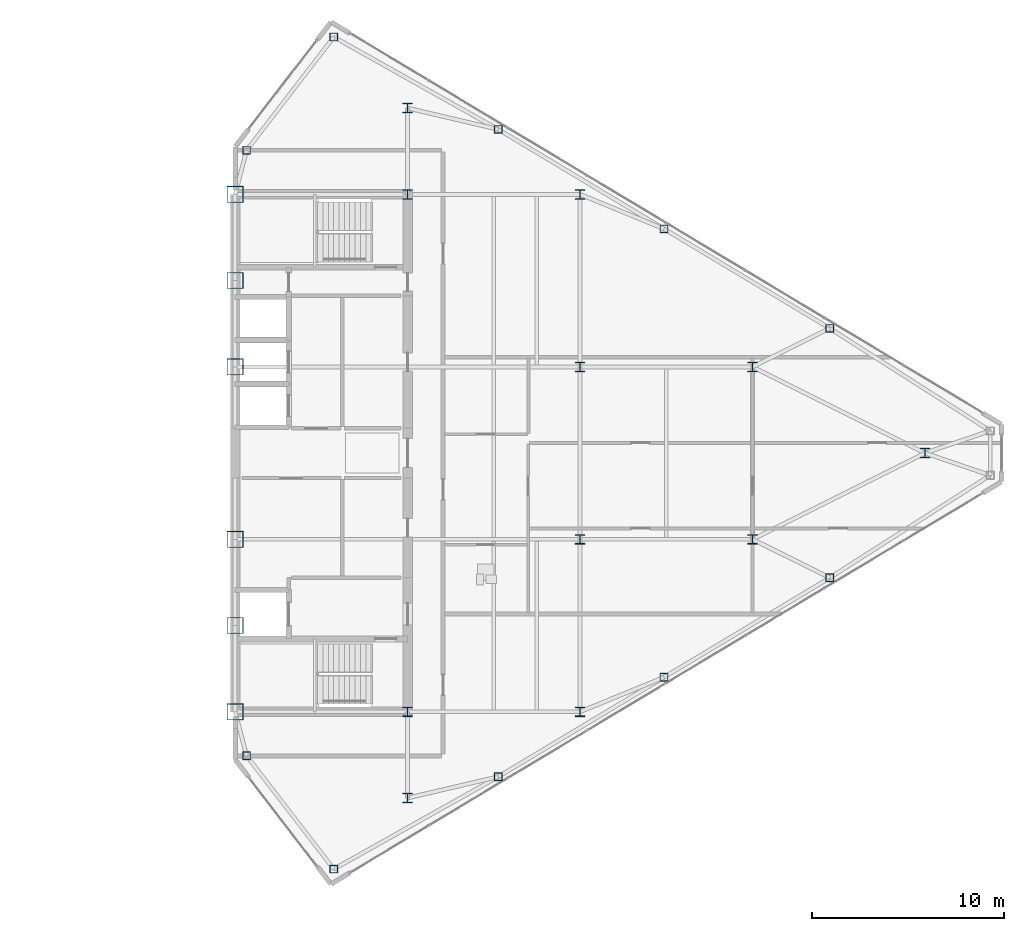
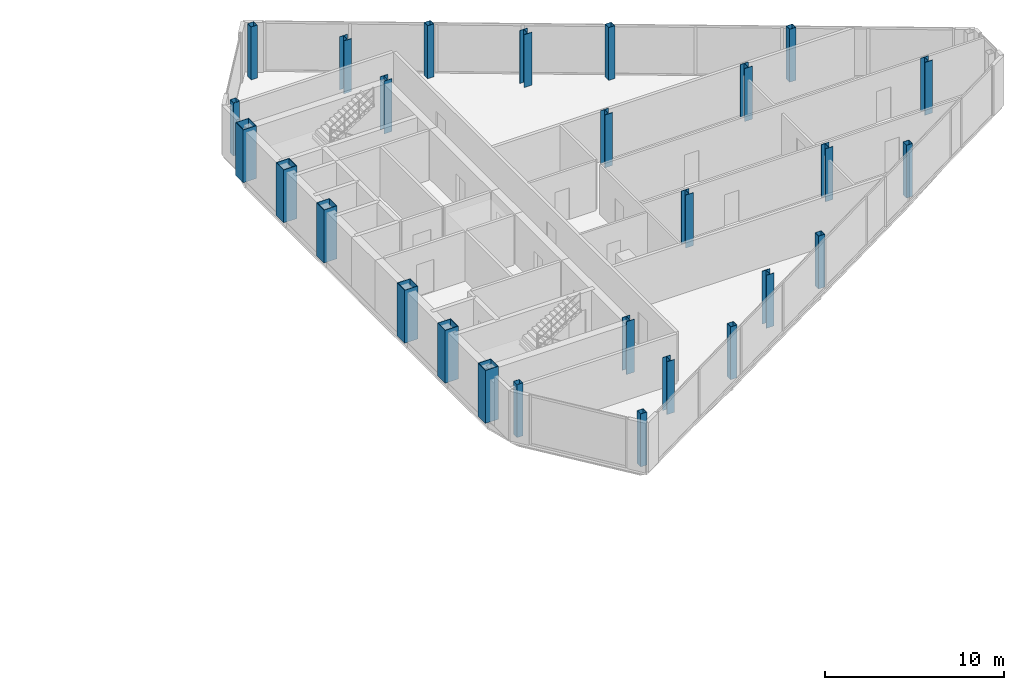
# One storey, part 3 of 25: 27 columns.
"""IFC4 building model written with IfcOpenShell, lengths in metres."""

from ifc_helpers import new_model, si_unit, direction, frame, origin, origin_2d, place, context, subcontext, project, spatial, hollow_rectangle, i_section, extrude, source, transform, mapped, material, material_profile, profile_set, type_object, type_shapes, element, save


model = new_model("IFC4")

# Units and contexts
model_context = context("Model", 3, precision=1e-05, world=origin(), true_north=direction((0.0, 1.0)))
body_context = subcontext(model_context, "Body", "Model", "MODEL_VIEW")
ifc_project = project(units=[si_unit("LENGTHUNIT", "METRE"), si_unit("AREAUNIT", "SQUARE_METRE"), si_unit("VOLUMEUNIT", "CUBIC_METRE"), si_unit("PLANEANGLEUNIT", "RADIAN"), si_unit("MASSUNIT", "GRAM", prefix="KILO")], contexts=[model_context])

# Site, building, storey
site_placement = place(None, origin())
site = spatial("IfcSite", under=ifc_project, at=site_placement, CompositionType="ELEMENT")
building_placement = place(site_placement, origin())
building = spatial("IfcBuilding", under=site, at=building_placement, Name="Seokmaru Belvedere", CompositionType="ELEMENT")
storey_placement = place(building_placement, frame((0.0, 0.0, 217.5)))
storey = spatial("IfcBuildingStorey", under=building, at=storey_placement, Name="L58", CompositionType="ELEMENT", Elevation=217.5)

# Columns
ifc_material_1 = material(Name="Steel HSA650 (650 MPa)", Category="steel")
ifc_material_profile_1 = material_profile(ifc_material_1, hollow_rectangle(XDim=0.85009765625, YDim=0.85009765625, WallThickness=0.035888671875, at=origin_2d()), Name="BOX-850x850x36")
ifc_profile_set_1 = profile_set([ifc_material_profile_1], Name="Steel HSA650 (650 MPa)")
column_type_1 = type_object("IfcColumnType", Name="Portal Spine Column BOX-850", PredefinedType="COLUMN", material=ifc_profile_set_1)
shared_shape_1 = source(origin(), body_context, "Body", "SweptSolid", [
    extrude(hollow_rectangle(XDim=0.85009765625, YDim=0.85009765625, WallThickness=0.035888671875, at=origin_2d()), origin(), (0.0, 0.0, 1.0), 3.60009765625),
])
type_shapes(column_type_1, [shared_shape_1])
for number, where, z_axis, x_axis, name in (
    (1, (27.5, -13.5, 0.0), (0.0, 0.0, 1.0), (1.0, 0.0, 0.0), "L58 Column ES1"),
    (2, (27.5, -9.0, 0.0), (0.0, 0.0, 1.0), (1.0, 0.0, 0.0), "L58 Column ES2"),
    (3, (27.5, -4.5, 0.0), (0.0, 0.0, 1.0), (1.0, 0.0, 0.0), "L58 Column ES3"),
    (4, (27.5, 4.5, 0.0), (0.0, 0.0, 1.0), (1.0, 0.0, 0.0), "L58 Column ES4"),
    (5, (27.5, 9.0, 0.0), (0.0, 0.0, 1.0), (1.0, 0.0, 0.0), "L58 Column ES5"),
    (6, (27.5, 13.5, 0.0), (0.0, 0.0, 1.0), (1.0, 0.0, 0.0), "L58 Column ES6"),
):
    element("IfcColumn", number, at=place(storey_placement, frame(where, z_axis=z_axis, x_axis=x_axis)), inside=storey, type_object=column_type_1, Name=name, PredefinedType="COLUMN", context=body_context, shape_type="MappedRepresentation", body=[
        mapped(shared_shape_1, transform((0.0, 0.0, 0.0), scale=1.0)),
    ])
ifc_material_2 = material(Name="Steel SM355 (355 MPa)", Category="steel")
ifc_material_profile_2 = material_profile(ifc_material_2, i_section(OverallWidth=0.5, OverallDepth=0.5, WebThickness=0.02001953125, FlangeThickness=0.031982421875, at=origin_2d()), Name="H-500x500x20x32")
ifc_profile_set_2 = profile_set([ifc_material_profile_2], Name="Steel SM355 (355 MPa)")
column_type_2 = type_object("IfcColumnType", Name="High-Rise Interior Column H-500", PredefinedType="COLUMN", material=ifc_profile_set_2)
shared_shape_2 = source(origin(), body_context, "Body", "SweptSolid", [
    extrude(i_section(OverallWidth=0.5, OverallDepth=0.5, WebThickness=0.02001953125, FlangeThickness=0.031982421875, at=origin_2d()), origin(), (0.0, 0.0, 1.0), 3.60009765625),
])
type_shapes(column_type_2, [shared_shape_2])
for number, where, z_axis, x_axis, name in (
    (7, (36.5, -18.0, 0.0), (0.0, 0.0, 1.0), (1.0, 0.0, 0.0), "L58 Column EC1"),
    (8, (36.5, -13.5, 0.0), (0.0, 0.0, 1.0), (1.0, 0.0, 0.0), "L58 Column EC2"),
    (9, (36.5, 13.5, 0.0), (0.0, 0.0, 1.0), (1.0, 0.0, 0.0), "L58 Column EC3"),
    (10, (36.5, 18.0, 0.0), (0.0, 0.0, 1.0), (1.0, 0.0, 0.0), "L58 Column EC4"),
    (11, (45.5, -13.5, 0.0), (0.0, 0.0, 1.0), (1.0, 0.0, 0.0), "L58 Column EG5_1"),
    (12, (45.5, -4.5, 0.0), (0.0, 0.0, 1.0), (1.0, 0.0, 0.0), "L58 Column EG5_2"),
    (13, (45.5, 4.5, 0.0), (0.0, 0.0, 1.0), (1.0, 0.0, 0.0), "L58 Column EG5_3"),
    (14, (45.5, 13.5, 0.0), (0.0, 0.0, 1.0), (1.0, 0.0, 0.0), "L58 Column EG5_4"),
    (15, (54.5, -4.5, 0.0), (0.0, 0.0, 1.0), (1.0, 0.0, 0.0), "L58 Column EG4P_1"),
    (16, (54.5, 4.5, 0.0), (0.0, 0.0, 1.0), (1.0, 0.0, 0.0), "L58 Column EG4P_2"),
    (17, (63.5, 0.0, 0.0), (0.0, 0.0, 1.0), (1.0, 0.0, 0.0), "L58 Column EG3P_1"),
):
    element("IfcColumn", number, at=place(storey_placement, frame(where, z_axis=z_axis, x_axis=x_axis)), inside=storey, type_object=column_type_2, Name=name, PredefinedType="COLUMN", context=body_context, shape_type="MappedRepresentation", body=[
        mapped(shared_shape_2, transform((0.0, 0.0, 0.0), scale=1.0)),
    ])
ifc_material_profile_3 = material_profile(ifc_material_2, hollow_rectangle(XDim=0.39990234375, YDim=0.39990234375, WallThickness=0.01611328125, at=origin_2d()), Name="HSS-400x400x16")
ifc_profile_set_3 = profile_set([ifc_material_profile_3], Name="Steel SM355 (355 MPa)")
column_type_3 = type_object("IfcColumnType", Name="Perimeter Facet Column HSS-400", PredefinedType="COLUMN", material=ifc_profile_set_3)
shared_shape_3 = source(origin(), body_context, "Body", "SweptSolid", [
    extrude(hollow_rectangle(XDim=0.39990234375, YDim=0.39990234375, WallThickness=0.01611328125, at=origin_2d()), origin(), (0.0, 0.0, 1.0), 3.60009765625),
])
type_shapes(column_type_3, [shared_shape_3])
for number, where, z_axis, x_axis, name in (
    (18, (32.649658203125, -21.71044921875, 0.0), (0.0, 0.0, 1.0), (1.0, 0.0, 0.0), "L58 Column EF1"),
    (19, (32.649658203125, 21.71044921875, 0.0), (0.0, 0.0, 1.0), (1.0, 0.0, 0.0), "L58 Column EF4"),
    (20, (28.10009765625, 15.7958984375, 0.0), (0.0, 0.0, 1.0), (1.0, 0.0, 0.0), "L58 Column EF5"),
    (21, (28.10009765625, -15.7958984375, 0.0), (0.0, 0.0, 1.0), (1.0, 0.0, 0.0), "L58 Column EF6"),
    (22, (41.229736328125, -16.888916015625, 0.0), (0.0, 0.0, 1.0), (1.0, 0.0, 0.0), "L58 Column EFLK_S1"),
    (23, (49.8798828125, -11.698974609375, 0.0), (0.0, 0.0, 1.0), (1.0, 0.0, 0.0), "L58 Column EFLK_S2"),
    (24, (58.530029296875, -6.5087890625, 0.0), (0.0, 0.0, 1.0), (1.0, 0.0, 0.0), "L58 Column EFLK_S3"),
    (25, (41.229736328125, 16.888916015625, 0.0), (0.0, 0.0, 1.0), (1.0, 0.0, 0.0), "L58 Column EFLK_N1"),
    (26, (49.8798828125, 11.698974609375, 0.0), (0.0, 0.0, 1.0), (1.0, 0.0, 0.0), "L58 Column EFLK_N2"),
    (27, (58.530029296875, 6.5087890625, 0.0), (0.0, 0.0, 1.0), (1.0, 0.0, 0.0), "L58 Column EFLK_N3"),
):
    element("IfcColumn", number, at=place(storey_placement, frame(where, z_axis=z_axis, x_axis=x_axis)), inside=storey, type_object=column_type_3, Name=name, PredefinedType="COLUMN", context=body_context, shape_type="MappedRepresentation", body=[
        mapped(shared_shape_3, transform((0.0, 0.0, 0.0), scale=1.0)),
    ])

save(model, "model.ifc")
